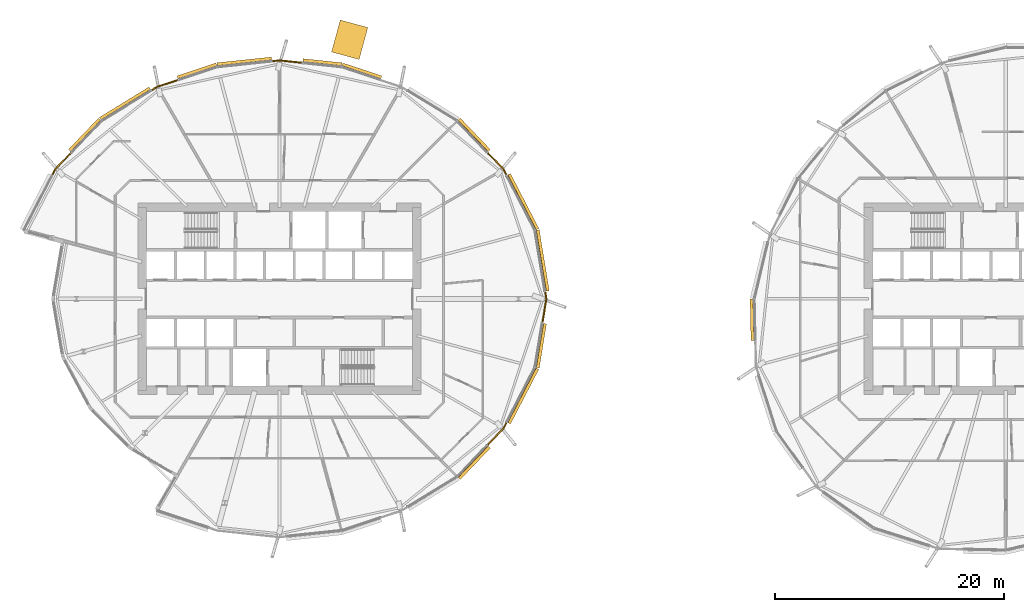
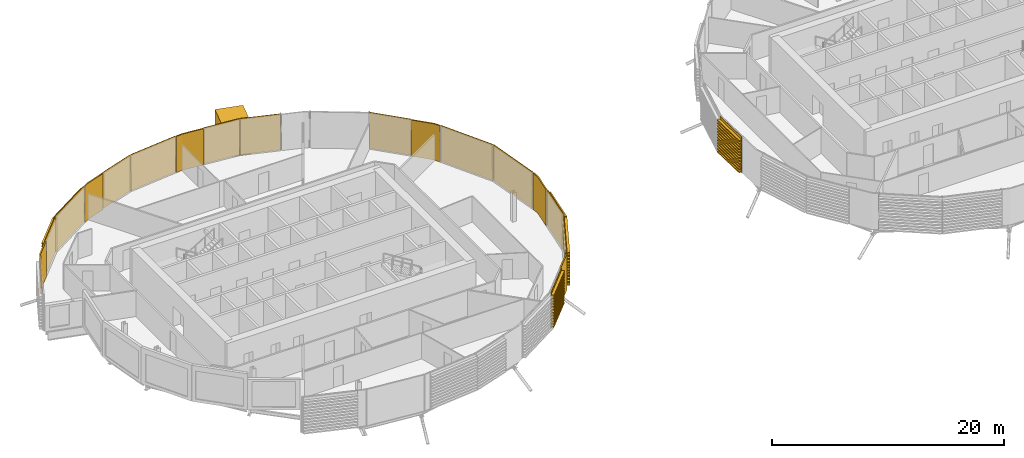
# One storey, part 35 of 38: 20 coverings.
"""IFC4 building model written with IfcOpenShell, lengths in metres."""

from ifc_helpers import new_model, si_unit, direction, frame, origin, place, context, subcontext, project, spatial, polyline, outline, extrude, material, layer, layer_set, material_profile, profile_set, type_object, element, save


model = new_model("IFC4")

# Units and contexts
model_context = context("Model", 3, precision=1e-05, world=origin(), true_north=direction((0.0, 1.0)))
body_context = subcontext(model_context, "Body", "Model", "MODEL_VIEW")
ifc_project = project(units=[si_unit("LENGTHUNIT", "METRE"), si_unit("AREAUNIT", "SQUARE_METRE"), si_unit("VOLUMEUNIT", "CUBIC_METRE"), si_unit("PLANEANGLEUNIT", "RADIAN"), si_unit("MASSUNIT", "GRAM", prefix="KILO")], contexts=[model_context])

# Site, building, storey
site_placement = place(None, origin())
site = spatial("IfcSite", under=ifc_project, at=site_placement, CompositionType="ELEMENT")
building_placement = place(site_placement, origin())
building = spatial("IfcBuilding", under=site, at=building_placement, Name="Rimbun Link Towers", CompositionType="ELEMENT")
storey_placement = place(building_placement, frame((0.0, 0.0, 108.199951171875)))
storey = spatial("IfcBuildingStorey", under=building, at=storey_placement, Name="L26", CompositionType="ELEMENT", Elevation=108.199951171875)

# Coverings
ifc_material_1 = material(Name="Terracotta-faced insulated sandwich panel", Category="masonry")
ifc_layer_1 = layer(ifc_material_1, 0.10009765625)
ifc_layer_set_1 = layer_set([ifc_layer_1], Name="CAPSULE service module")
covering_type_1 = type_object("IfcCoveringType", Name="CAPSULE service module", PredefinedType="CLADDING", material=ifc_layer_set_1)
covering_1_placement = place(storey_placement, frame((0.0, 0.0, -0.800048828125)))
element("IfcCovering", 1, at=covering_1_placement, inside=storey, type_object=covering_type_1, Name="CAPSULE D251.04 service module", PredefinedType="CLADDING", context=body_context, shape_type="SweptSolid", body=[
    extrude(outline(polyline([(-24.0185546875, 23.720947265625), (-26.431396484375, 24.37548828125), (-27.19091796875, 21.57666015625), (-24.778076171875, 20.922119140625), (-24.0185546875, 23.720947265625)])), origin(), (0.0, 0.0, 1.0), 3.16015625),
])
ifc_material_2 = material(Name="Terracotta", Category="masonry")
ifc_layer_2 = layer(ifc_material_2, 0.1201171875)
ifc_layer_set_2 = layer_set([ifc_layer_2], Name="LINK PIER terracotta cladding 120")
covering_type_2 = type_object("IfcCoveringType", Name="LINK PIER terracotta cladding 120", PredefinedType="CLADDING", material=ifc_layer_set_2)
covering_2_placement = place(storey_placement, origin())
element("IfcCovering", 2, at=covering_2_placement, inside=storey, type_object=covering_type_2, Name="LINK PIER cladding", PredefinedType="CLADDING", context=body_context, shape_type="SweptSolid", body=[
    extrude(outline(polyline([(-8.568115234375, 0.61181640625), (-8.46728515625, 0.0), (-8.811279296875, -2.091796875), (-8.69287109375, -2.111328125), (-8.345703125, 0.0), (-8.449462890625, 0.63134765625), (-8.568115234375, 0.61181640625)])), origin(), (0.0, 0.0, 1.0), 3.800048828125),
])
covering_3_placement = place(storey_placement, origin())
element("IfcCovering", 3, at=covering_3_placement, inside=storey, type_object=covering_type_2, Name="LINK PIER cladding", PredefinedType="CLADDING", context=body_context, shape_type="SweptSolid", body=[
    extrude(outline(polyline([(-13.5966796875, 12.74609375), (-12.19873046875, 11.287841796875), (-11.936767578125, 10.78173828125), (-11.830322265625, 10.8369140625), (-12.10009765625, 11.3583984375), (-13.510009765625, 12.8291015625), (-13.5966796875, 12.74609375)])), origin(), (0.0, 0.0, 1.0), 3.800048828125),
])
covering_4_placement = place(storey_placement, origin())
element("IfcCovering", 4, at=covering_4_placement, inside=storey, type_object=covering_type_2, Name="LINK PIER cladding", PredefinedType="CLADDING", context=body_context, shape_type="SweptSolid", body=[
    extrude(outline(polyline([(-32.36669921875, 20.72314453125), (-31.75, 20.7880859375), (-29.7412109375, 20.576416015625), (-29.728515625, 20.69580078125), (-31.75, 20.90869140625), (-32.379150390625, 20.84228515625), (-32.36669921875, 20.72314453125)])), origin(), (0.0, 0.0, 1.0), 3.800048828125),
])
covering_5_placement = place(storey_placement, origin())
element("IfcCovering", 5, at=covering_5_placement, inside=storey, type_object=covering_type_2, Name="LINK PIER cladding", PredefinedType="CLADDING", context=body_context, shape_type="SweptSolid", body=[
    extrude(outline(polyline([(-42.90380859375, 18.17919921875), (-42.41796875, 18.4775390625), (-40.595458984375, 19.08154296875), (-40.63330078125, 19.1953125), (-42.468994140625, 18.5869140625), (-42.966552734375, 18.281494140625), (-42.90380859375, 18.17919921875)])), origin(), (0.0, 0.0, 1.0), 3.800048828125),
])
covering_6_placement = place(storey_placement, origin())
element("IfcCovering", 6, at=covering_6_placement, inside=storey, type_object=covering_type_2, Name="LINK PIER cladding", PredefinedType="CLADDING", context=body_context, shape_type="SweptSolid", body=[
    extrude(outline(polyline([(-51.563232421875, 10.78173828125), (-51.30126953125, 11.287841796875), (-49.9033203125, 12.74609375), (-49.989990234375, 12.8291015625), (-51.39990234375, 11.3583984375), (-51.669677734375, 10.8369140625), (-51.563232421875, 10.78173828125)])), origin(), (0.0, 0.0, 1.0), 3.800048828125),
])
covering_7_placement = place(storey_placement, origin())
element("IfcCovering", 7, at=covering_7_placement, inside=storey, type_object=covering_type_2, Name="LINK PIER cladding", PredefinedType="CLADDING", context=body_context, shape_type="SweptSolid", body=[
    extrude(outline(polyline([(-11.936767578125, -10.78173828125), (-12.19873046875, -11.287841796875), (-13.5966796875, -12.74609375), (-13.510009765625, -12.8291015625), (-12.10009765625, -11.3583984375), (-11.830322265625, -10.8369140625), (-11.936767578125, -10.78173828125)])), origin(), (0.0, 0.0, 1.0), 3.800048828125),
])
ifc_material_3 = material(Name="Terracotta", Category="masonry")
ifc_material_profile = material_profile(ifc_material_3, outline(polyline([(0.123046875, 0.0), (0.1630859375, 0.0), (0.1630859375, 0.10009765625), (0.423095703125, 0.10009765625), (0.423095703125, 0.219970703125), (0.1630859375, 0.219970703125), (0.1630859375, 0.39990234375), (0.423095703125, 0.39990234375), (0.423095703125, 0.52001953125), (0.1630859375, 0.52001953125), (0.1630859375, 0.699951171875), (0.423095703125, 0.699951171875), (0.423095703125, 0.820068359375), (0.1630859375, 0.820068359375), (0.1630859375, 1.0), (0.423095703125, 1.0), (0.423095703125, 1.1201171875), (0.1630859375, 1.1201171875), (0.1630859375, 1.300048828125), (0.423095703125, 1.300048828125), (0.423095703125, 1.419921875), (0.1630859375, 1.419921875), (0.1630859375, 1.60009765625), (0.423095703125, 1.60009765625), (0.423095703125, 1.719970703125), (0.1630859375, 1.719970703125), (0.1630859375, 1.89990234375), (0.423095703125, 1.89990234375), (0.423095703125, 2.02001953125), (0.1630859375, 2.02001953125), (0.1630859375, 2.199951171875), (0.423095703125, 2.199951171875), (0.423095703125, 2.320068359375), (0.1630859375, 2.320068359375), (0.1630859375, 2.5), (0.423095703125, 2.5), (0.423095703125, 2.6201171875), (0.1630859375, 2.6201171875), (0.1630859375, 2.800048828125), (0.423095703125, 2.800048828125), (0.423095703125, 2.919921875), (0.1630859375, 2.919921875), (0.1630859375, 3.10009765625), (0.423095703125, 3.10009765625), (0.423095703125, 3.219970703125), (0.1630859375, 3.219970703125), (0.1630859375, 3.39990234375), (0.423095703125, 3.39990234375), (0.423095703125, 3.52001953125), (0.1630859375, 3.52001953125), (0.1630859375, 3.800048828125), (0.123046875, 3.800048828125), (0.123046875, 0.0)])), Name="BAGUETTE 120X300")
ifc_profile_set = profile_set([ifc_material_profile], Name="Terracotta")
covering_type_3 = type_object("IfcCoveringType", Name="TERRACOTTA BAGUETTE 120X300 H3800", PredefinedType="CLADDING", material=ifc_profile_set)
covering_8_placement = place(storey_placement, frame((-9.449951171875, 5.975341796875, 0.0), z_axis=(0.162274672048, -0.986745626193, 0.0), x_axis=(0.986745626193, 0.162274672048, 0.0)))
element("IfcCovering", 8, at=covering_8_placement, inside=storey, type_object=covering_type_3, Name="TERRACOTTA BAGUETTE", PredefinedType="CLADDING", context=body_context, shape_type="SweptSolid", body=[
    extrude(outline(polyline([(0.123046875, 0.0), (0.1630859375, 0.0), (0.1630859375, 0.10009765625), (0.423095703125, 0.10009765625), (0.423095703125, 0.219970703125), (0.1630859375, 0.219970703125), (0.1630859375, 0.39990234375), (0.423095703125, 0.39990234375), (0.423095703125, 0.52001953125), (0.1630859375, 0.52001953125), (0.1630859375, 0.699951171875), (0.423095703125, 0.699951171875), (0.423095703125, 0.820068359375), (0.1630859375, 0.820068359375), (0.1630859375, 1.0), (0.423095703125, 1.0), (0.423095703125, 1.1201171875), (0.1630859375, 1.1201171875), (0.1630859375, 1.300048828125), (0.423095703125, 1.300048828125), (0.423095703125, 1.419921875), (0.1630859375, 1.419921875), (0.1630859375, 1.60009765625), (0.423095703125, 1.60009765625), (0.423095703125, 1.719970703125), (0.1630859375, 1.719970703125), (0.1630859375, 1.89990234375), (0.423095703125, 1.89990234375), (0.423095703125, 2.02001953125), (0.1630859375, 2.02001953125), (0.1630859375, 2.199951171875), (0.423095703125, 2.199951171875), (0.423095703125, 2.320068359375), (0.1630859375, 2.320068359375), (0.1630859375, 2.5), (0.423095703125, 2.5), (0.423095703125, 2.6201171875), (0.1630859375, 2.6201171875), (0.1630859375, 2.800048828125), (0.423095703125, 2.800048828125), (0.423095703125, 2.919921875), (0.1630859375, 2.919921875), (0.1630859375, 3.10009765625), (0.423095703125, 3.10009765625), (0.423095703125, 3.219970703125), (0.1630859375, 3.219970703125), (0.1630859375, 3.39990234375), (0.423095703125, 3.39990234375), (0.423095703125, 3.52001953125), (0.1630859375, 3.52001953125), (0.1630859375, 3.800048828125), (0.123046875, 3.800048828125), (0.123046875, 0.0)])), origin(), (0.0, 0.0, 1.0), 5.405517578125),
])
covering_9_placement = place(storey_placement, frame((-11.923095703125, 10.755126953125, 0.0), z_axis=(0.459546327365, -0.88815380031, 0.0), x_axis=(0.88815380031, 0.459546327365, 0.0)))
element("IfcCovering", 9, at=covering_9_placement, inside=storey, type_object=covering_type_3, Name="TERRACOTTA BAGUETTE", PredefinedType="CLADDING", context=body_context, shape_type="SweptSolid", body=[
    extrude(outline(polyline([(0.123046875, 0.0), (0.1630859375, 0.0), (0.1630859375, 0.10009765625), (0.423095703125, 0.10009765625), (0.423095703125, 0.219970703125), (0.1630859375, 0.219970703125), (0.1630859375, 0.39990234375), (0.423095703125, 0.39990234375), (0.423095703125, 0.52001953125), (0.1630859375, 0.52001953125), (0.1630859375, 0.699951171875), (0.423095703125, 0.699951171875), (0.423095703125, 0.820068359375), (0.1630859375, 0.820068359375), (0.1630859375, 1.0), (0.423095703125, 1.0), (0.423095703125, 1.1201171875), (0.1630859375, 1.1201171875), (0.1630859375, 1.300048828125), (0.423095703125, 1.300048828125), (0.423095703125, 1.419921875), (0.1630859375, 1.419921875), (0.1630859375, 1.60009765625), (0.423095703125, 1.60009765625), (0.423095703125, 1.719970703125), (0.1630859375, 1.719970703125), (0.1630859375, 1.89990234375), (0.423095703125, 1.89990234375), (0.423095703125, 2.02001953125), (0.1630859375, 2.02001953125), (0.1630859375, 2.199951171875), (0.423095703125, 2.199951171875), (0.423095703125, 2.320068359375), (0.1630859375, 2.320068359375), (0.1630859375, 2.5), (0.423095703125, 2.5), (0.423095703125, 2.6201171875), (0.1630859375, 2.6201171875), (0.1630859375, 2.800048828125), (0.423095703125, 2.800048828125), (0.423095703125, 2.919921875), (0.1630859375, 2.919921875), (0.1630859375, 3.10009765625), (0.423095703125, 3.10009765625), (0.423095703125, 3.219970703125), (0.1630859375, 3.219970703125), (0.1630859375, 3.39990234375), (0.423095703125, 3.39990234375), (0.423095703125, 3.52001953125), (0.1630859375, 3.52001953125), (0.1630859375, 3.800048828125), (0.123046875, 3.800048828125), (0.123046875, 0.0)])), origin(), (0.0, 0.0, 1.0), 5.381591796875),
])
covering_10_placement = place(storey_placement, frame((-16.243408203125, 15.506591796875, 0.0), z_axis=(0.692054876382, -0.721844891979, 0.0), x_axis=(0.721844891979, 0.692054876382, 0.0)))
element("IfcCovering", 10, at=covering_10_placement, inside=storey, type_object=covering_type_3, Name="TERRACOTTA BAGUETTE", PredefinedType="CLADDING", context=body_context, shape_type="SweptSolid", body=[
    extrude(outline(polyline([(0.123046875, 0.0), (0.1630859375, 0.0), (0.1630859375, 0.10009765625), (0.423095703125, 0.10009765625), (0.423095703125, 0.219970703125), (0.1630859375, 0.219970703125), (0.1630859375, 0.39990234375), (0.423095703125, 0.39990234375), (0.423095703125, 0.52001953125), (0.1630859375, 0.52001953125), (0.1630859375, 0.699951171875), (0.423095703125, 0.699951171875), (0.423095703125, 0.820068359375), (0.1630859375, 0.820068359375), (0.1630859375, 1.0), (0.423095703125, 1.0), (0.423095703125, 1.1201171875), (0.1630859375, 1.1201171875), (0.1630859375, 1.300048828125), (0.423095703125, 1.300048828125), (0.423095703125, 1.419921875), (0.1630859375, 1.419921875), (0.1630859375, 1.60009765625), (0.423095703125, 1.60009765625), (0.423095703125, 1.719970703125), (0.1630859375, 1.719970703125), (0.1630859375, 1.89990234375), (0.423095703125, 1.89990234375), (0.423095703125, 2.02001953125), (0.1630859375, 2.02001953125), (0.1630859375, 2.199951171875), (0.423095703125, 2.199951171875), (0.423095703125, 2.320068359375), (0.1630859375, 2.320068359375), (0.1630859375, 2.5), (0.423095703125, 2.5), (0.423095703125, 2.6201171875), (0.1630859375, 2.6201171875), (0.1630859375, 2.800048828125), (0.423095703125, 2.800048828125), (0.423095703125, 2.919921875), (0.1630859375, 2.919921875), (0.1630859375, 3.10009765625), (0.423095703125, 3.10009765625), (0.423095703125, 3.219970703125), (0.1630859375, 3.219970703125), (0.1630859375, 3.39990234375), (0.423095703125, 3.39990234375), (0.423095703125, 3.52001953125), (0.1630859375, 3.52001953125), (0.1630859375, 3.800048828125), (0.123046875, 3.800048828125), (0.123046875, 0.0)])), origin(), (0.0, 0.0, 1.0), 3.79443359375),
])
covering_11_placement = place(storey_placement, frame((-26.332763671875, 20.217529296875, 0.0), z_axis=(0.949227224398, -0.314591284783, 0.0), x_axis=(0.314591284783, 0.949227224398, 0.0)))
element("IfcCovering", 11, at=covering_11_placement, inside=storey, type_object=covering_type_3, Name="TERRACOTTA BAGUETTE", PredefinedType="CLADDING", context=body_context, shape_type="SweptSolid", body=[
    extrude(outline(polyline([(0.123046875, 0.0), (0.1630859375, 0.0), (0.1630859375, 0.10009765625), (0.423095703125, 0.10009765625), (0.423095703125, 0.219970703125), (0.1630859375, 0.219970703125), (0.1630859375, 0.39990234375), (0.423095703125, 0.39990234375), (0.423095703125, 0.52001953125), (0.1630859375, 0.52001953125), (0.1630859375, 0.699951171875), (0.423095703125, 0.699951171875), (0.423095703125, 0.820068359375), (0.1630859375, 0.820068359375), (0.1630859375, 1.0), (0.423095703125, 1.0), (0.423095703125, 1.1201171875), (0.1630859375, 1.1201171875), (0.1630859375, 1.300048828125), (0.423095703125, 1.300048828125), (0.423095703125, 1.419921875), (0.1630859375, 1.419921875), (0.1630859375, 1.60009765625), (0.423095703125, 1.60009765625), (0.423095703125, 1.719970703125), (0.1630859375, 1.719970703125), (0.1630859375, 1.89990234375), (0.423095703125, 1.89990234375), (0.423095703125, 2.02001953125), (0.1630859375, 2.02001953125), (0.1630859375, 2.199951171875), (0.423095703125, 2.199951171875), (0.423095703125, 2.320068359375), (0.1630859375, 2.320068359375), (0.1630859375, 2.5), (0.423095703125, 2.5), (0.423095703125, 2.6201171875), (0.1630859375, 2.6201171875), (0.1630859375, 2.800048828125), (0.423095703125, 2.800048828125), (0.423095703125, 2.919921875), (0.1630859375, 2.919921875), (0.1630859375, 3.10009765625), (0.423095703125, 3.10009765625), (0.423095703125, 3.219970703125), (0.1630859375, 3.219970703125), (0.1630859375, 3.39990234375), (0.423095703125, 3.39990234375), (0.423095703125, 3.52001953125), (0.1630859375, 3.52001953125), (0.1630859375, 3.800048828125), (0.123046875, 3.800048828125), (0.123046875, 0.0)])), origin(), (0.0, 0.0, 1.0), 3.58154296875),
])
covering_12_placement = place(storey_placement, frame((-29.711181640625, 20.5732421875, 0.0), z_axis=(0.994502696014, -0.104710971823, 0.0), x_axis=(0.104710971823, 0.994502696014, 0.0)))
element("IfcCovering", 12, at=covering_12_placement, inside=storey, type_object=covering_type_3, Name="TERRACOTTA BAGUETTE", PredefinedType="CLADDING", context=body_context, shape_type="SweptSolid", body=[
    extrude(outline(polyline([(0.123046875, 0.0), (0.1630859375, 0.0), (0.1630859375, 0.10009765625), (0.423095703125, 0.10009765625), (0.423095703125, 0.219970703125), (0.1630859375, 0.219970703125), (0.1630859375, 0.39990234375), (0.423095703125, 0.39990234375), (0.423095703125, 0.52001953125), (0.1630859375, 0.52001953125), (0.1630859375, 0.699951171875), (0.423095703125, 0.699951171875), (0.423095703125, 0.820068359375), (0.1630859375, 0.820068359375), (0.1630859375, 1.0), (0.423095703125, 1.0), (0.423095703125, 1.1201171875), (0.1630859375, 1.1201171875), (0.1630859375, 1.300048828125), (0.423095703125, 1.300048828125), (0.423095703125, 1.419921875), (0.1630859375, 1.419921875), (0.1630859375, 1.60009765625), (0.423095703125, 1.60009765625), (0.423095703125, 1.719970703125), (0.1630859375, 1.719970703125), (0.1630859375, 1.89990234375), (0.423095703125, 1.89990234375), (0.423095703125, 2.02001953125), (0.1630859375, 2.02001953125), (0.1630859375, 2.199951171875), (0.423095703125, 2.199951171875), (0.423095703125, 2.320068359375), (0.1630859375, 2.320068359375), (0.1630859375, 2.5), (0.423095703125, 2.5), (0.423095703125, 2.6201171875), (0.1630859375, 2.6201171875), (0.1630859375, 2.800048828125), (0.423095703125, 2.800048828125), (0.423095703125, 2.919921875), (0.1630859375, 2.919921875), (0.1630859375, 3.10009765625), (0.423095703125, 3.10009765625), (0.423095703125, 3.219970703125), (0.1630859375, 3.219970703125), (0.1630859375, 3.39990234375), (0.423095703125, 3.39990234375), (0.423095703125, 3.52001953125), (0.1630859375, 3.52001953125), (0.1630859375, 3.800048828125), (0.123046875, 3.800048828125), (0.123046875, 0.0)])), origin(), (0.0, 0.0, 1.0), 3.39697265625),
])
covering_13_placement = place(storey_placement, frame((-37.167236328125, 20.217529296875, 0.0), z_axis=(0.994499874196, 0.10473776885, 0.0), x_axis=(-0.10473776885, 0.994499874196, 0.0)))
element("IfcCovering", 13, at=covering_13_placement, inside=storey, type_object=covering_type_3, Name="TERRACOTTA BAGUETTE", PredefinedType="CLADDING", context=body_context, shape_type="SweptSolid", body=[
    extrude(outline(polyline([(0.123046875, 0.0), (0.1630859375, 0.0), (0.1630859375, 0.10009765625), (0.423095703125, 0.10009765625), (0.423095703125, 0.219970703125), (0.1630859375, 0.219970703125), (0.1630859375, 0.39990234375), (0.423095703125, 0.39990234375), (0.423095703125, 0.52001953125), (0.1630859375, 0.52001953125), (0.1630859375, 0.699951171875), (0.423095703125, 0.699951171875), (0.423095703125, 0.820068359375), (0.1630859375, 0.820068359375), (0.1630859375, 1.0), (0.423095703125, 1.0), (0.423095703125, 1.1201171875), (0.1630859375, 1.1201171875), (0.1630859375, 1.300048828125), (0.423095703125, 1.300048828125), (0.423095703125, 1.419921875), (0.1630859375, 1.419921875), (0.1630859375, 1.60009765625), (0.423095703125, 1.60009765625), (0.423095703125, 1.719970703125), (0.1630859375, 1.719970703125), (0.1630859375, 1.89990234375), (0.423095703125, 1.89990234375), (0.423095703125, 2.02001953125), (0.1630859375, 2.02001953125), (0.1630859375, 2.199951171875), (0.423095703125, 2.199951171875), (0.423095703125, 2.320068359375), (0.1630859375, 2.320068359375), (0.1630859375, 2.5), (0.423095703125, 2.5), (0.423095703125, 2.6201171875), (0.1630859375, 2.6201171875), (0.1630859375, 2.800048828125), (0.423095703125, 2.800048828125), (0.423095703125, 2.919921875), (0.1630859375, 2.919921875), (0.1630859375, 3.10009765625), (0.423095703125, 3.10009765625), (0.423095703125, 3.219970703125), (0.1630859375, 3.219970703125), (0.1630859375, 3.39990234375), (0.423095703125, 3.39990234375), (0.423095703125, 3.52001953125), (0.1630859375, 3.52001953125), (0.1630859375, 3.800048828125), (0.123046875, 3.800048828125), (0.123046875, 0.0)])), origin(), (0.0, 0.0, 1.0), 4.797119140625),
])
covering_14_placement = place(storey_placement, frame((-40.56689453125, 19.0908203125, 0.0), z_axis=(0.949227224398, 0.314591284783, 0.0), x_axis=(-0.314591284783, 0.949227224398, 0.0)))
element("IfcCovering", 14, at=covering_14_placement, inside=storey, type_object=covering_type_3, Name="TERRACOTTA BAGUETTE", PredefinedType="CLADDING", context=body_context, shape_type="SweptSolid", body=[
    extrude(outline(polyline([(0.123046875, 0.0), (0.1630859375, 0.0), (0.1630859375, 0.10009765625), (0.423095703125, 0.10009765625), (0.423095703125, 0.219970703125), (0.1630859375, 0.219970703125), (0.1630859375, 0.39990234375), (0.423095703125, 0.39990234375), (0.423095703125, 0.52001953125), (0.1630859375, 0.52001953125), (0.1630859375, 0.699951171875), (0.423095703125, 0.699951171875), (0.423095703125, 0.820068359375), (0.1630859375, 0.820068359375), (0.1630859375, 1.0), (0.423095703125, 1.0), (0.423095703125, 1.1201171875), (0.1630859375, 1.1201171875), (0.1630859375, 1.300048828125), (0.423095703125, 1.300048828125), (0.423095703125, 1.419921875), (0.1630859375, 1.419921875), (0.1630859375, 1.60009765625), (0.423095703125, 1.60009765625), (0.423095703125, 1.719970703125), (0.1630859375, 1.719970703125), (0.1630859375, 1.89990234375), (0.423095703125, 1.89990234375), (0.423095703125, 2.02001953125), (0.1630859375, 2.02001953125), (0.1630859375, 2.199951171875), (0.423095703125, 2.199951171875), (0.423095703125, 2.320068359375), (0.1630859375, 2.320068359375), (0.1630859375, 2.5), (0.423095703125, 2.5), (0.423095703125, 2.6201171875), (0.1630859375, 2.6201171875), (0.1630859375, 2.800048828125), (0.423095703125, 2.800048828125), (0.423095703125, 2.919921875), (0.1630859375, 2.919921875), (0.1630859375, 3.10009765625), (0.423095703125, 3.10009765625), (0.423095703125, 3.219970703125), (0.1630859375, 3.219970703125), (0.1630859375, 3.39990234375), (0.423095703125, 3.39990234375), (0.423095703125, 3.52001953125), (0.1630859375, 3.52001953125), (0.1630859375, 3.800048828125), (0.123046875, 3.800048828125), (0.123046875, 0.0)])), origin(), (0.0, 0.0, 1.0), 3.58154296875),
])
covering_15_placement = place(storey_placement, frame((-47.256591796875, 15.506591796875, 0.0), z_axis=(0.852187774371, 0.523236081719, 0.0), x_axis=(-0.523236081719, 0.852187774371, 0.0)))
element("IfcCovering", 15, at=covering_15_placement, inside=storey, type_object=covering_type_3, Name="TERRACOTTA BAGUETTE", PredefinedType="CLADDING", context=body_context, shape_type="SweptSolid", body=[
    extrude(outline(polyline([(0.123046875, 0.0), (0.1630859375, 0.0), (0.1630859375, 0.10009765625), (0.423095703125, 0.10009765625), (0.423095703125, 0.219970703125), (0.1630859375, 0.219970703125), (0.1630859375, 0.39990234375), (0.423095703125, 0.39990234375), (0.423095703125, 0.52001953125), (0.1630859375, 0.52001953125), (0.1630859375, 0.699951171875), (0.423095703125, 0.699951171875), (0.423095703125, 0.820068359375), (0.1630859375, 0.820068359375), (0.1630859375, 1.0), (0.423095703125, 1.0), (0.423095703125, 1.1201171875), (0.1630859375, 1.1201171875), (0.1630859375, 1.300048828125), (0.423095703125, 1.300048828125), (0.423095703125, 1.419921875), (0.1630859375, 1.419921875), (0.1630859375, 1.60009765625), (0.423095703125, 1.60009765625), (0.423095703125, 1.719970703125), (0.1630859375, 1.719970703125), (0.1630859375, 1.89990234375), (0.423095703125, 1.89990234375), (0.423095703125, 2.02001953125), (0.1630859375, 2.02001953125), (0.1630859375, 2.199951171875), (0.423095703125, 2.199951171875), (0.423095703125, 2.320068359375), (0.1630859375, 2.320068359375), (0.1630859375, 2.5), (0.423095703125, 2.5), (0.423095703125, 2.6201171875), (0.1630859375, 2.6201171875), (0.1630859375, 2.800048828125), (0.423095703125, 2.800048828125), (0.423095703125, 2.919921875), (0.1630859375, 2.919921875), (0.1630859375, 3.10009765625), (0.423095703125, 3.10009765625), (0.423095703125, 3.219970703125), (0.1630859375, 3.219970703125), (0.1630859375, 3.39990234375), (0.423095703125, 3.39990234375), (0.423095703125, 3.52001953125), (0.1630859375, 3.52001953125), (0.1630859375, 3.800048828125), (0.123046875, 3.800048828125), (0.123046875, 0.0)])), origin(), (0.0, 0.0, 1.0), 5.077880859375),
])
for number, where, z_axis, x_axis, name in (
    (16, (-49.882568359375, 12.767578125, 0.0), (0.692054876382, 0.721844891979, 0.0), (-0.721844891979, 0.692054876382, 0.0), "TERRACOTTA BAGUETTE"),
    (17, (-13.617431640625, -12.767578125, 0.0), (-0.692054876382, -0.721844891979, 0.0), (0.721844891979, -0.692054876382, 0.0), "TERRACOTTA BAGUETTE"),
):
    element("IfcCovering", number, at=place(storey_placement, frame(where, z_axis=z_axis, x_axis=x_axis)), inside=storey, type_object=covering_type_3, Name=name, PredefinedType="CLADDING", context=body_context, shape_type="SweptSolid", body=[
        extrude(outline(polyline([(0.123046875, 0.0), (0.1630859375, 0.0), (0.1630859375, 0.10009765625), (0.423095703125, 0.10009765625), (0.423095703125, 0.219970703125), (0.1630859375, 0.219970703125), (0.1630859375, 0.39990234375), (0.423095703125, 0.39990234375), (0.423095703125, 0.52001953125), (0.1630859375, 0.52001953125), (0.1630859375, 0.699951171875), (0.423095703125, 0.699951171875), (0.423095703125, 0.820068359375), (0.1630859375, 0.820068359375), (0.1630859375, 1.0), (0.423095703125, 1.0), (0.423095703125, 1.1201171875), (0.1630859375, 1.1201171875), (0.1630859375, 1.300048828125), (0.423095703125, 1.300048828125), (0.423095703125, 1.419921875), (0.1630859375, 1.419921875), (0.1630859375, 1.60009765625), (0.423095703125, 1.60009765625), (0.423095703125, 1.719970703125), (0.1630859375, 1.719970703125), (0.1630859375, 1.89990234375), (0.423095703125, 1.89990234375), (0.423095703125, 2.02001953125), (0.1630859375, 2.02001953125), (0.1630859375, 2.199951171875), (0.423095703125, 2.199951171875), (0.423095703125, 2.320068359375), (0.1630859375, 2.320068359375), (0.1630859375, 2.5), (0.423095703125, 2.5), (0.423095703125, 2.6201171875), (0.1630859375, 2.6201171875), (0.1630859375, 2.800048828125), (0.423095703125, 2.800048828125), (0.423095703125, 2.919921875), (0.1630859375, 2.919921875), (0.1630859375, 3.10009765625), (0.423095703125, 3.10009765625), (0.423095703125, 3.219970703125), (0.1630859375, 3.219970703125), (0.1630859375, 3.39990234375), (0.423095703125, 3.39990234375), (0.423095703125, 3.52001953125), (0.1630859375, 3.52001953125), (0.1630859375, 3.800048828125), (0.123046875, 3.800048828125), (0.123046875, 0.0)])), origin(), (0.0, 0.0, 1.0), 3.79443359375),
    ])
covering_16_placement = place(storey_placement, frame((-9.449951171875, -5.975341796875, 0.0), z_axis=(-0.459546327365, -0.88815380031, 0.0), x_axis=(0.88815380031, -0.459546327365, 0.0)))
element("IfcCovering", 18, at=covering_16_placement, inside=storey, type_object=covering_type_3, Name="TERRACOTTA BAGUETTE", PredefinedType="CLADDING", context=body_context, shape_type="SweptSolid", body=[
    extrude(outline(polyline([(0.123046875, 0.0), (0.1630859375, 0.0), (0.1630859375, 0.10009765625), (0.423095703125, 0.10009765625), (0.423095703125, 0.219970703125), (0.1630859375, 0.219970703125), (0.1630859375, 0.39990234375), (0.423095703125, 0.39990234375), (0.423095703125, 0.52001953125), (0.1630859375, 0.52001953125), (0.1630859375, 0.699951171875), (0.423095703125, 0.699951171875), (0.423095703125, 0.820068359375), (0.1630859375, 0.820068359375), (0.1630859375, 1.0), (0.423095703125, 1.0), (0.423095703125, 1.1201171875), (0.1630859375, 1.1201171875), (0.1630859375, 1.300048828125), (0.423095703125, 1.300048828125), (0.423095703125, 1.419921875), (0.1630859375, 1.419921875), (0.1630859375, 1.60009765625), (0.423095703125, 1.60009765625), (0.423095703125, 1.719970703125), (0.1630859375, 1.719970703125), (0.1630859375, 1.89990234375), (0.423095703125, 1.89990234375), (0.423095703125, 2.02001953125), (0.1630859375, 2.02001953125), (0.1630859375, 2.199951171875), (0.423095703125, 2.199951171875), (0.423095703125, 2.320068359375), (0.1630859375, 2.320068359375), (0.1630859375, 2.5), (0.423095703125, 2.5), (0.423095703125, 2.6201171875), (0.1630859375, 2.6201171875), (0.1630859375, 2.800048828125), (0.423095703125, 2.800048828125), (0.423095703125, 2.919921875), (0.1630859375, 2.919921875), (0.1630859375, 3.10009765625), (0.423095703125, 3.10009765625), (0.423095703125, 3.219970703125), (0.1630859375, 3.219970703125), (0.1630859375, 3.39990234375), (0.423095703125, 3.39990234375), (0.423095703125, 3.52001953125), (0.1630859375, 3.52001953125), (0.1630859375, 3.800048828125), (0.123046875, 3.800048828125), (0.123046875, 0.0)])), origin(), (0.0, 0.0, 1.0), 5.381591796875),
])
covering_17_placement = place(storey_placement, frame((-8.816162109375, -2.12158203125, 0.0), z_axis=(-0.162279973534, -0.986744754326, 0.0), x_axis=(0.986744754326, -0.162279973534, 0.0)))
element("IfcCovering", 19, at=covering_17_placement, inside=storey, type_object=covering_type_3, Name="TERRACOTTA BAGUETTE", PredefinedType="CLADDING", context=body_context, shape_type="SweptSolid", body=[
    extrude(outline(polyline([(0.123046875, 0.0), (0.1630859375, 0.0), (0.1630859375, 0.10009765625), (0.423095703125, 0.10009765625), (0.423095703125, 0.219970703125), (0.1630859375, 0.219970703125), (0.1630859375, 0.39990234375), (0.423095703125, 0.39990234375), (0.423095703125, 0.52001953125), (0.1630859375, 0.52001953125), (0.1630859375, 0.699951171875), (0.423095703125, 0.699951171875), (0.423095703125, 0.820068359375), (0.1630859375, 0.820068359375), (0.1630859375, 1.0), (0.423095703125, 1.0), (0.423095703125, 1.1201171875), (0.1630859375, 1.1201171875), (0.1630859375, 1.300048828125), (0.423095703125, 1.300048828125), (0.423095703125, 1.419921875), (0.1630859375, 1.419921875), (0.1630859375, 1.60009765625), (0.423095703125, 1.60009765625), (0.423095703125, 1.719970703125), (0.1630859375, 1.719970703125), (0.1630859375, 1.89990234375), (0.423095703125, 1.89990234375), (0.423095703125, 2.02001953125), (0.1630859375, 2.02001953125), (0.1630859375, 2.199951171875), (0.423095703125, 2.199951171875), (0.423095703125, 2.320068359375), (0.1630859375, 2.320068359375), (0.1630859375, 2.5), (0.423095703125, 2.5), (0.423095703125, 2.6201171875), (0.1630859375, 2.6201171875), (0.1630859375, 2.800048828125), (0.423095703125, 2.800048828125), (0.423095703125, 2.919921875), (0.1630859375, 2.919921875), (0.1630859375, 3.10009765625), (0.423095703125, 3.10009765625), (0.423095703125, 3.219970703125), (0.1630859375, 3.219970703125), (0.1630859375, 3.39990234375), (0.423095703125, 3.39990234375), (0.423095703125, 3.52001953125), (0.1630859375, 3.52001953125), (0.1630859375, 3.800048828125), (0.123046875, 3.800048828125), (0.123046875, 0.0)])), origin(), (0.0, 0.0, 1.0), 3.905517578125),
])
covering_18_placement = place(storey_placement, frame((9.897216796875, -3.6435546875, 0.0), z_axis=(-0.021102241806, 0.999777322903, 0.0), x_axis=(-0.999777322903, -0.021102241806, 0.0)))
element("IfcCovering", 20, at=covering_18_placement, inside=storey, type_object=covering_type_3, Name="TERRACOTTA BAGUETTE", PredefinedType="CLADDING", context=body_context, shape_type="SweptSolid", body=[
    extrude(outline(polyline([(0.123046875, 0.0), (0.1630859375, 0.0), (0.1630859375, 0.10009765625), (0.423095703125, 0.10009765625), (0.423095703125, 0.219970703125), (0.1630859375, 0.219970703125), (0.1630859375, 0.39990234375), (0.423095703125, 0.39990234375), (0.423095703125, 0.52001953125), (0.1630859375, 0.52001953125), (0.1630859375, 0.699951171875), (0.423095703125, 0.699951171875), (0.423095703125, 0.820068359375), (0.1630859375, 0.820068359375), (0.1630859375, 1.0), (0.423095703125, 1.0), (0.423095703125, 1.1201171875), (0.1630859375, 1.1201171875), (0.1630859375, 1.300048828125), (0.423095703125, 1.300048828125), (0.423095703125, 1.419921875), (0.1630859375, 1.419921875), (0.1630859375, 1.60009765625), (0.423095703125, 1.60009765625), (0.423095703125, 1.719970703125), (0.1630859375, 1.719970703125), (0.1630859375, 1.89990234375), (0.423095703125, 1.89990234375), (0.423095703125, 2.02001953125), (0.1630859375, 2.02001953125), (0.1630859375, 2.199951171875), (0.423095703125, 2.199951171875), (0.423095703125, 2.320068359375), (0.1630859375, 2.320068359375), (0.1630859375, 2.5), (0.423095703125, 2.5), (0.423095703125, 2.6201171875), (0.1630859375, 2.6201171875), (0.1630859375, 2.800048828125), (0.423095703125, 2.800048828125), (0.423095703125, 2.919921875), (0.1630859375, 2.919921875), (0.1630859375, 3.10009765625), (0.423095703125, 3.10009765625), (0.423095703125, 3.219970703125), (0.1630859375, 3.219970703125), (0.1630859375, 3.39990234375), (0.423095703125, 3.39990234375), (0.423095703125, 3.52001953125), (0.1630859375, 3.52001953125), (0.1630859375, 3.800048828125), (0.123046875, 3.800048828125), (0.123046875, 0.0)])), origin(), (0.0, 0.0, 1.0), 3.644287109375),
])

save(model, "model.ifc")
